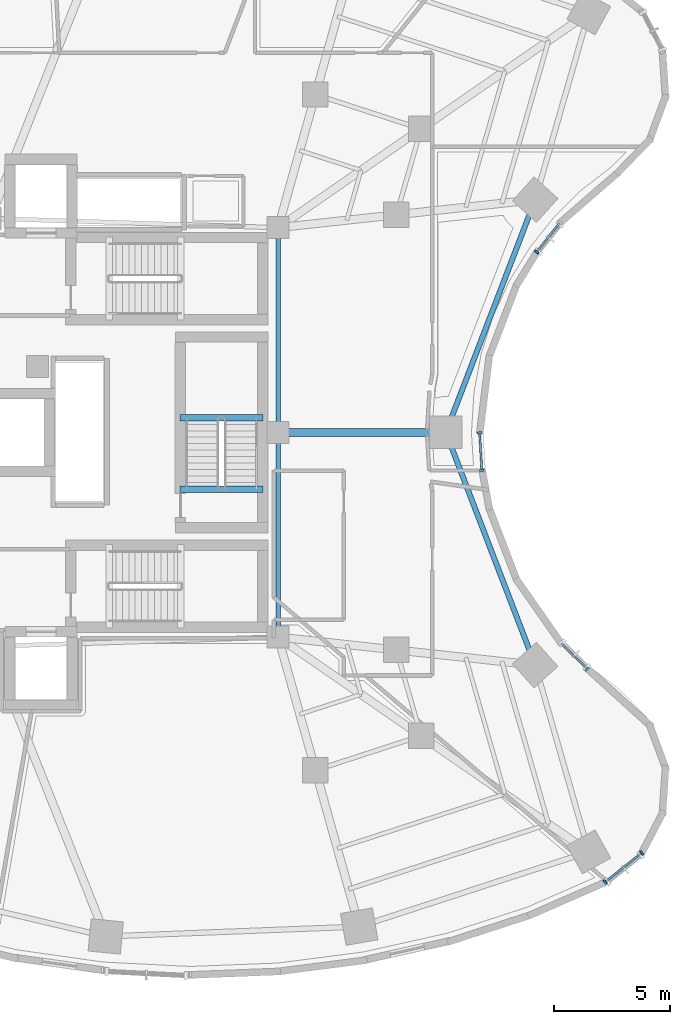
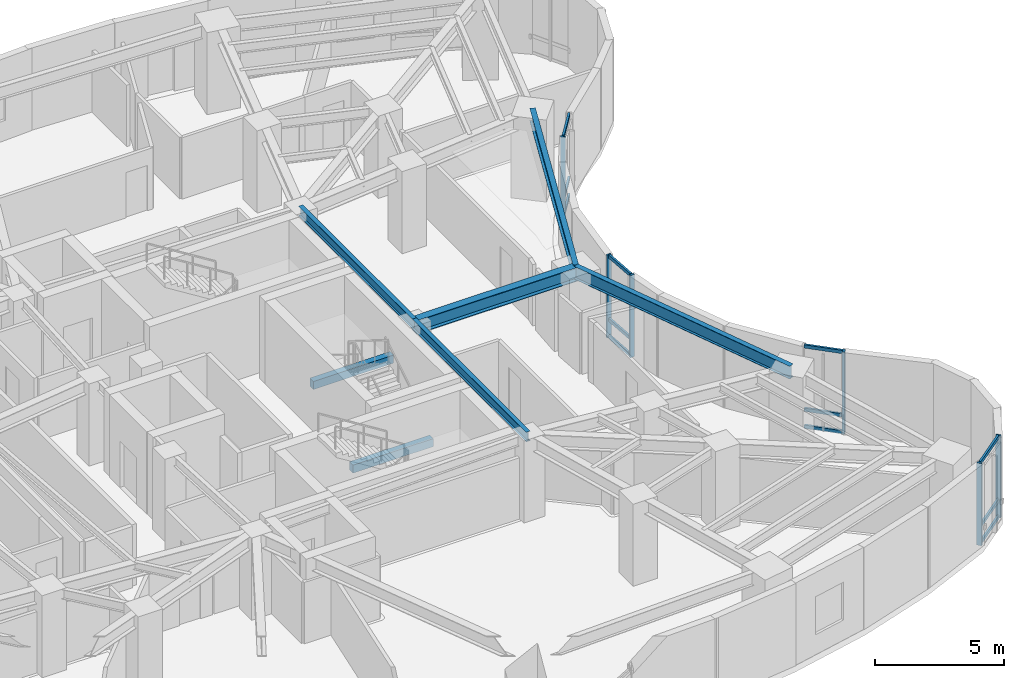
# One storey, part 4 of 14: 18 members, 7 beams, 4 elements without a shape of their own.
"""IFC4 building model written with IfcOpenShell, lengths in metres."""

from ifc_helpers import new_model, si_unit, direction, frame, origin, origin_2d, place, context, subcontext, project, spatial, rectangle, i_section, extrude, material, layer, layer_set, material_profile, profile_set, type_object, element, aggregate, save


model = new_model("IFC4")

# Units and contexts
model_context = context("Model", 3, precision=1e-05, world=origin(), true_north=direction((0.0, 1.0)))
body_context = subcontext(model_context, "Body", "Model", "MODEL_VIEW")
ifc_project = project(units=[si_unit("LENGTHUNIT", "METRE"), si_unit("AREAUNIT", "SQUARE_METRE"), si_unit("VOLUMEUNIT", "CUBIC_METRE"), si_unit("PLANEANGLEUNIT", "RADIAN"), si_unit("MASSUNIT", "GRAM", prefix="KILO")], contexts=[model_context])

# Site, building, storey
site_placement = place(None, origin())
site = spatial("IfcSite", under=ifc_project, at=site_placement, CompositionType="ELEMENT")
building_placement = place(site_placement, origin())
building = spatial("IfcBuilding", under=site, at=building_placement, Name="Korentha Bioscience Tower", CompositionType="ELEMENT")
storey_placement = place(building_placement, frame((0.0, 0.0, 46.800048828125)))
storey = spatial("IfcBuildingStorey", under=building, at=storey_placement, Name="L10", CompositionType="ELEMENT", Elevation=46.800048828125)

# Beams
ifc_material_1 = material(Name="Concrete C50", Category="concrete")
ifc_material_profile_1 = material_profile(ifc_material_1, rectangle(XDim=0.280029296875, YDim=0.3798828125, at=origin_2d()), Name="Concrete C50")
ifc_profile_set_1 = profile_set([ifc_material_profile_1], Name="Concrete C50 (ST-HB380)")
beam_type_1 = type_object("IfcBeamType", Name="Concrete Stair Header Beam RC 280x380", PredefinedType="BEAM", material=ifc_profile_set_1)
for number, where, z_axis, x_axis, name in (
    (1, (36.89990234375, 24.550048828125, -0.18994140625), (-1.0, 0.0, 0.0), (0.0, -1.0, 0.0), "L10 ST-3 Concrete Stair Header Beam"),
    (2, (36.89990234375, 27.6298828125, 1.909912109375), (-1.0, 0.0, 0.0), (0.0, -1.0, 0.0), "L10 ST-3 Half-Landing Header Beam 1"),
):
    element("IfcBeam", number, at=place(storey_placement, frame(where, z_axis=z_axis, x_axis=x_axis)), inside=storey, type_object=beam_type_1, Name=name, PredefinedType="BEAM", context=body_context, shape_type="SweptSolid", body=[
        extrude(rectangle(XDim=0.280029296875, YDim=0.3798828125, at=origin_2d()), origin(), (0.0, 0.0, 1.0), 3.599853515625),
    ])
ifc_material_2 = material(Name="Steel S355", Category="steel")
ifc_material_profile_2 = material_profile(ifc_material_2, i_section(OverallWidth=0.18994140625, OverallDepth=0.45703125, WebThickness=0.009033203125, FlangeThickness=0.014404296875, at=origin_2d()), Name="Steel S355")
ifc_profile_set_2 = profile_set([ifc_material_profile_2], Name="Steel S355 (MB-460)")
beam_type_2 = type_object("IfcBeamType", Name="Mid-Ring Tie Girder W460x74", PredefinedType="BEAM", material=ifc_profile_set_2)
for number, where, z_axis, x_axis, name in (
    (3, (37.550048828125, 18.14990234375, 3.67138671875), (0.0, 1.0, 0.0), (-1.0, 0.0, 0.0), "L10 Core Ring Tie Girder 06"),
    (4, (37.550048828125, 27.0, 3.67138671875), (0.0, 1.0, 0.0), (-1.0, 0.0, 0.0), "L10 Core Ring Tie Girder 07"),
):
    element("IfcBeam", number, at=place(storey_placement, frame(where, z_axis=z_axis, x_axis=x_axis)), inside=storey, type_object=beam_type_2, Name=name, PredefinedType="BEAM", context=body_context, shape_type="SweptSolid", body=[
        extrude(i_section(OverallWidth=0.18994140625, OverallDepth=0.45703125, WebThickness=0.009033203125, FlangeThickness=0.014404296875, at=origin_2d()), origin(), (0.0, 0.0, 1.0), 8.85009765625),
    ])

# Curtain wall, members
ifc_material_3 = material(Name="Thermally Broken Aluminium Frame", Category="aluminium")
ifc_layer_1 = layer(ifc_material_3, 0.219970703125, Name="Thermally Broken Aluminium Frame")
ifc_layer_set_1 = layer_set([ifc_layer_1], Name="Thermally Broken Aluminium Frame (CW-T2)")
curtain_wall_type_1 = type_object("IfcCurtainWallType", Name="Solar-Screened Lab Unitised Curtain Wall CW-T2", PredefinedType="USERDEFINED", material=ifc_layer_set_1)
curtain_wall_1_placement = place(storey_placement, origin())
curtain_wall_1 = element("IfcCurtainWall", 5, at=curtain_wall_1_placement, inside=storey, type_object=curtain_wall_type_1, Name="L10 Curtain Wall 37", ObjectType="UNITISED", PredefinedType="USERDEFINED")
ifc_material_4 = material(Name="Anodised Aluminium 6063-T6", Category="aluminium")
ifc_material_profile_3 = material_profile(ifc_material_4, rectangle(XDim=0.090087890625, YDim=0.199951171875, at=origin_2d()), Name="Anodised Aluminium 6063-T6")
ifc_profile_set_3 = profile_set([ifc_material_profile_3], Name="Anodised Aluminium 6063-T6 (CW-MUL)")
member_type_1 = type_object("IfcMemberType", Name="Mullion RECT 90x200", PredefinedType="MULLION", material=ifc_profile_set_3)
member_1_placement = place(storey_placement, frame((51.6865234375, 7.56298828125, 0.0), z_axis=(0.0, 0.0, 1.0), x_axis=(0.782287851332, 0.62291710336, 0.0)))
member_1 = element("IfcMember", 6, at=member_1_placement, type_object=member_type_1, Name="CW-L10-37 Mullion 1", PredefinedType="MULLION", context=body_context, shape_type="SweptSolid", body=[
    extrude(rectangle(XDim=0.090087890625, YDim=0.199951171875, at=origin_2d()), origin(), (0.0, 0.0, 1.0), 3.89990234375),
])
member_2_placement = place(storey_placement, frame((53.264892578125, 8.81982421875, 0.0), z_axis=(0.0, 0.0, 1.0), x_axis=(0.782287851332, 0.62291710336, 0.0)))
member_2 = element("IfcMember", 7, at=member_2_placement, type_object=member_type_1, Name="CW-L10-37 Mullion 2", PredefinedType="MULLION", context=body_context, shape_type="SweptSolid", body=[
    extrude(rectangle(XDim=0.090087890625, YDim=0.199951171875, at=origin_2d()), origin(), (0.0, 0.0, 1.0), 3.89990234375),
])

# Curtain wall, member
curtain_wall_2_placement = place(storey_placement, origin())
curtain_wall_2 = element("IfcCurtainWall", 8, at=curtain_wall_2_placement, inside=storey, type_object=curtain_wall_type_1, Name="L10 Curtain Wall 43", ObjectType="UNITISED", PredefinedType="USERDEFINED")
member_3_placement = place(storey_placement, frame((50.913818359375, 16.76513671875, 0.0), z_axis=(0.0, 0.0, 1.0), x_axis=(-0.713279246754, 0.700879958445, 0.0)))
member_3 = element("IfcMember", 9, at=member_3_placement, type_object=member_type_1, Name="CW-L10-43 Mullion 1", PredefinedType="MULLION", context=body_context, shape_type="SweptSolid", body=[
    extrude(rectangle(XDim=0.090087890625, YDim=0.199951171875, at=origin_2d()), origin(), (0.0, 0.0, 1.0), 3.89990234375),
])

# Curtain wall, members
ifc_layer_2 = layer(ifc_material_3, 0.219970703125, Name="Thermally Broken Aluminium Frame")
ifc_layer_set_2 = layer_set([ifc_layer_2], Name="Thermally Broken Aluminium Frame (CW-T1)")
curtain_wall_type_2 = type_object("IfcCurtainWallType", Name="Standard Bioscience Lab Unitised Curtain Wall CW-T1", PredefinedType="USERDEFINED", material=ifc_layer_set_2)
curtain_wall_3_placement = place(storey_placement, origin())
curtain_wall_3 = element("IfcCurtainWall", 10, at=curtain_wall_3_placement, inside=storey, type_object=curtain_wall_type_2, Name="L10 Curtain Wall 49", ObjectType="UNITISED", PredefinedType="USERDEFINED")
member_4_placement = place(storey_placement, frame((46.355712890625, 25.3603515625, 0.0), z_axis=(0.0, 0.0, 1.0), x_axis=(-0.061008272998, 0.998137260413, 0.0)))
member_4 = element("IfcMember", 11, at=member_4_placement, type_object=member_type_1, Name="CW-L10-49 Mullion 1", PredefinedType="MULLION", context=body_context, shape_type="SweptSolid", body=[
    extrude(rectangle(XDim=0.090087890625, YDim=0.199951171875, at=origin_2d()), origin(), (0.0, 0.0, 1.0), 3.89990234375),
])
member_5_placement = place(storey_placement, frame((46.25634765625, 26.985107421875, 0.0), z_axis=(0.0, 0.0, 1.0), x_axis=(-0.061008272998, 0.998137260413, 0.0)))
member_5 = element("IfcMember", 12, at=member_5_placement, type_object=member_type_1, Name="CW-L10-49 Mullion 2", PredefinedType="MULLION", context=body_context, shape_type="SweptSolid", body=[
    extrude(rectangle(XDim=0.090087890625, YDim=0.199951171875, at=origin_2d()), origin(), (0.0, 0.0, 1.0), 3.89990234375),
])

# Curtain wall, member
curtain_wall_4_placement = place(storey_placement, origin())
curtain_wall_4 = element("IfcCurtainWall", 13, at=curtain_wall_4_placement, inside=storey, type_object=curtain_wall_type_1, Name="L10 Curtain Wall 55", ObjectType="UNITISED", PredefinedType="USERDEFINED")
member_6_placement = place(storey_placement, frame((48.719482421875, 34.7978515625, 0.0), z_axis=(0.0, 0.0, 1.0), x_axis=(0.622520324648, 0.782603632371, 0.0)))
member_6 = element("IfcMember", 14, at=member_6_placement, type_object=member_type_1, Name="CW-L10-55 Mullion 1", PredefinedType="MULLION", context=body_context, shape_type="SweptSolid", body=[
    extrude(rectangle(XDim=0.090087890625, YDim=0.199951171875, at=origin_2d()), origin(), (0.0, 0.0, 1.0), 3.89990234375),
])

# Beams
ifc_material_profile_4 = material_profile(ifc_material_2, i_section(OverallWidth=0.22802734375, OverallDepth=0.60791015625, WebThickness=0.01123046875, FlangeThickness=0.017333984375, at=origin_2d()), Name="Steel S355")
ifc_profile_set_4 = profile_set([ifc_material_profile_4], Name="Steel S355 (SB-610)")
beam_type_3 = type_object("IfcBeamType", Name="Perimeter Ring Spandrel Girder W610x113", PredefinedType="SPANDREL", material=ifc_profile_set_4)
for number, where, z_axis, x_axis, name in (
    (15, (48.661865234375, 16.939208984375, 3.595947265625), (-0.358473520253, 0.93353989485, 0.0), (-0.93353989485, -0.358473520253, 0.0), "L10 Perimeter Spandrel Girder 14"),
    (16, (44.798583984375, 27.0, 3.595947265625), (0.358473520253, 0.93353989485, 0.0), (-0.93353989485, 0.358473520253, 0.0), "L10 Perimeter Spandrel Girder 15"),
):
    element("IfcBeam", number, at=place(storey_placement, frame(where, z_axis=z_axis, x_axis=x_axis)), inside=storey, type_object=beam_type_3, Name=name, PredefinedType="SPANDREL", context=body_context, shape_type="SweptSolid", body=[
        extrude(i_section(OverallWidth=0.22802734375, OverallDepth=0.60791015625, WebThickness=0.01123046875, FlangeThickness=0.017333984375, at=origin_2d()), origin(), (0.0, 0.0, 1.0), 10.777099609375),
    ])
ifc_material_profile_5 = material_profile(ifc_material_2, i_section(OverallWidth=0.35009765625, OverallDepth=0.64990234375, WebThickness=0.01611328125, FlangeThickness=0.02490234375, at=origin_2d()), Name="Steel S355")
ifc_profile_set_5 = profile_set([ifc_material_profile_5], Name="Steel S355 (RB-650)")
beam_type_4 = type_object("IfcBeamType", Name="Radial Laboratory Girder CVS 650x208", PredefinedType="BEAM", material=ifc_profile_set_5)
beam_placement = place(storey_placement, frame((37.550048828125, 27.0, 3.574951171875), z_axis=(1.0, 0.0, 0.0), x_axis=(0.0, 1.0, 0.0)))
element("IfcBeam", 17, at=beam_placement, inside=storey, type_object=beam_type_4, Name="L10 Radial Girder 15", PredefinedType="BEAM", context=body_context, shape_type="SweptSolid", body=[
    extrude(i_section(OverallWidth=0.35009765625, OverallDepth=0.64990234375, WebThickness=0.01611328125, FlangeThickness=0.02490234375, at=origin_2d()), origin(), (0.0, 0.0, 1.0), 7.24853515625),
])

# Member
ifc_material_profile_6 = material_profile(ifc_material_4, rectangle(XDim=0.090087890625, YDim=0.159912109375, at=origin_2d()), Name="Anodised Aluminium 6063-T6")
ifc_profile_set_6 = profile_set([ifc_material_profile_6], Name="Anodised Aluminium 6063-T6 (CW-TRN)")
member_type_2 = type_object("IfcMemberType", Name="Transom RECT 90x160", PredefinedType="USERDEFINED", material=ifc_profile_set_6)
member_7_placement = place(storey_placement, frame((51.7216796875, 7.591064453125, 0.044921875), z_axis=(0.78232471634, 0.622870803782, 0.0), x_axis=(-0.622870803782, 0.78232471634, 0.0)))
member_7 = element("IfcMember", 18, at=member_7_placement, type_object=member_type_2, Name="CW-L10-37 Bay 1 Transom 1", ObjectType="TRANSOM", PredefinedType="USERDEFINED", context=body_context, shape_type="SweptSolid", body=[
    extrude(rectangle(XDim=0.090087890625, YDim=0.159912109375, at=origin_2d()), origin(), (0.0, 0.0, 1.0), 1.927734375),
])

member_8_placement = place(storey_placement, frame((51.7216796875, 7.591064453125, 0.849853515625), z_axis=(0.78232471634, 0.622870803782, 0.0), x_axis=(-0.622870803782, 0.78232471634, 0.0)))
member_8 = element("IfcMember", 19, at=member_8_placement, type_object=member_type_2, Name="CW-L10-37 Bay 1 Transom 2", ObjectType="TRANSOM", PredefinedType="USERDEFINED", context=body_context, shape_type="SweptSolid", body=[
    extrude(rectangle(XDim=0.090087890625, YDim=0.159912109375, at=origin_2d()), origin(), (0.0, 0.0, 1.0), 1.927734375),
])

member_9_placement = place(storey_placement, frame((51.7216796875, 7.591064453125, 3.85498046875), z_axis=(0.78232471634, 0.622870803782, 0.0), x_axis=(-0.622870803782, 0.78232471634, 0.0)))
member_9 = element("IfcMember", 20, at=member_9_placement, type_object=member_type_2, Name="CW-L10-37 Bay 1 Transom 3", ObjectType="TRANSOM", PredefinedType="USERDEFINED", context=body_context, shape_type="SweptSolid", body=[
    extrude(rectangle(XDim=0.090087890625, YDim=0.159912109375, at=origin_2d()), origin(), (0.0, 0.0, 1.0), 1.927734375),
])

aggregate(curtain_wall_1, [member_1, member_2, member_7, member_8, member_9])

member_10_placement = place(storey_placement, frame((50.8818359375, 16.796875, 0.044921875), z_axis=(-0.713350356322, 0.700807583531, 0.0), x_axis=(-0.700807583531, -0.713350356322, 0.0)))
member_10 = element("IfcMember", 21, at=member_10_placement, type_object=member_type_2, Name="CW-L10-43 Bay 1 Transom 1", ObjectType="TRANSOM", PredefinedType="USERDEFINED", context=body_context, shape_type="SweptSolid", body=[
    extrude(rectangle(XDim=0.090087890625, YDim=0.159912109375, at=origin_2d()), origin(), (0.0, 0.0, 1.0), 1.53759765625),
])

member_11_placement = place(storey_placement, frame((50.8818359375, 16.796875, 0.849853515625), z_axis=(-0.713350356322, 0.700807583531, 0.0), x_axis=(-0.700807583531, -0.713350356322, 0.0)))
member_11 = element("IfcMember", 22, at=member_11_placement, type_object=member_type_2, Name="CW-L10-43 Bay 1 Transom 2", ObjectType="TRANSOM", PredefinedType="USERDEFINED", context=body_context, shape_type="SweptSolid", body=[
    extrude(rectangle(XDim=0.090087890625, YDim=0.159912109375, at=origin_2d()), origin(), (0.0, 0.0, 1.0), 1.53759765625),
])

member_12_placement = place(storey_placement, frame((50.8818359375, 16.796875, 3.85498046875), z_axis=(-0.713350356322, 0.700807583531, 0.0), x_axis=(-0.700807583531, -0.713350356322, 0.0)))
member_12 = element("IfcMember", 23, at=member_12_placement, type_object=member_type_2, Name="CW-L10-43 Bay 1 Transom 3", ObjectType="TRANSOM", PredefinedType="USERDEFINED", context=body_context, shape_type="SweptSolid", body=[
    extrude(rectangle(XDim=0.090087890625, YDim=0.159912109375, at=origin_2d()), origin(), (0.0, 0.0, 1.0), 1.53759765625),
])

aggregate(curtain_wall_2, [member_3, member_10, member_11, member_12])

member_13_placement = place(storey_placement, frame((46.352783203125, 25.4052734375, 0.044921875), z_axis=(-0.060964804815, 0.998139916331, 0.0), x_axis=(-0.998139916331, -0.060964804815, 0.0)))
member_13 = element("IfcMember", 24, at=member_13_placement, type_object=member_type_2, Name="CW-L10-49 Bay 1 Transom 1", ObjectType="TRANSOM", PredefinedType="USERDEFINED", context=body_context, shape_type="SweptSolid", body=[
    extrude(rectangle(XDim=0.090087890625, YDim=0.159912109375, at=origin_2d()), origin(), (0.0, 0.0, 1.0), 1.537841796875),
])

member_14_placement = place(storey_placement, frame((46.352783203125, 25.4052734375, 0.849853515625), z_axis=(-0.060964804815, 0.998139916331, 0.0), x_axis=(-0.998139916331, -0.060964804815, 0.0)))
member_14 = element("IfcMember", 25, at=member_14_placement, type_object=member_type_2, Name="CW-L10-49 Bay 1 Transom 2", ObjectType="TRANSOM", PredefinedType="USERDEFINED", context=body_context, shape_type="SweptSolid", body=[
    extrude(rectangle(XDim=0.090087890625, YDim=0.159912109375, at=origin_2d()), origin(), (0.0, 0.0, 1.0), 1.537841796875),
])

member_15_placement = place(storey_placement, frame((46.352783203125, 25.4052734375, 3.85498046875), z_axis=(-0.060964804815, 0.998139916331, 0.0), x_axis=(-0.998139916331, -0.060964804815, 0.0)))
member_15 = element("IfcMember", 26, at=member_15_placement, type_object=member_type_2, Name="CW-L10-49 Bay 1 Transom 3", ObjectType="TRANSOM", PredefinedType="USERDEFINED", context=body_context, shape_type="SweptSolid", body=[
    extrude(rectangle(XDim=0.090087890625, YDim=0.159912109375, at=origin_2d()), origin(), (0.0, 0.0, 1.0), 1.537841796875),
])

aggregate(curtain_wall_3, [member_4, member_5, member_13, member_14, member_15])

member_16_placement = place(storey_placement, frame((48.74755859375, 34.8330078125, 0.044921875), z_axis=(0.622563336945, 0.782569416405, 0.0), x_axis=(-0.782569416405, 0.622563336945, 0.0)))
member_16 = element("IfcMember", 27, at=member_16_placement, type_object=member_type_2, Name="CW-L10-55 Bay 1 Transom 1", ObjectType="TRANSOM", PredefinedType="USERDEFINED", context=body_context, shape_type="SweptSolid", body=[
    extrude(rectangle(XDim=0.090087890625, YDim=0.159912109375, at=origin_2d()), origin(), (0.0, 0.0, 1.0), 1.5380859375),
])

member_17_placement = place(storey_placement, frame((48.74755859375, 34.8330078125, 0.849853515625), z_axis=(0.622563336945, 0.782569416405, 0.0), x_axis=(-0.782569416405, 0.622563336945, 0.0)))
member_17 = element("IfcMember", 28, at=member_17_placement, type_object=member_type_2, Name="CW-L10-55 Bay 1 Transom 2", ObjectType="TRANSOM", PredefinedType="USERDEFINED", context=body_context, shape_type="SweptSolid", body=[
    extrude(rectangle(XDim=0.090087890625, YDim=0.159912109375, at=origin_2d()), origin(), (0.0, 0.0, 1.0), 1.5380859375),
])

member_18_placement = place(storey_placement, frame((48.74755859375, 34.8330078125, 3.85498046875), z_axis=(0.622563336945, 0.782569416405, 0.0), x_axis=(-0.782569416405, 0.622563336945, 0.0)))
member_18 = element("IfcMember", 29, at=member_18_placement, type_object=member_type_2, Name="CW-L10-55 Bay 1 Transom 3", ObjectType="TRANSOM", PredefinedType="USERDEFINED", context=body_context, shape_type="SweptSolid", body=[
    extrude(rectangle(XDim=0.090087890625, YDim=0.159912109375, at=origin_2d()), origin(), (0.0, 0.0, 1.0), 1.5380859375),
])

aggregate(curtain_wall_4, [member_6, member_16, member_17, member_18])

save(model, "model.ifc")
